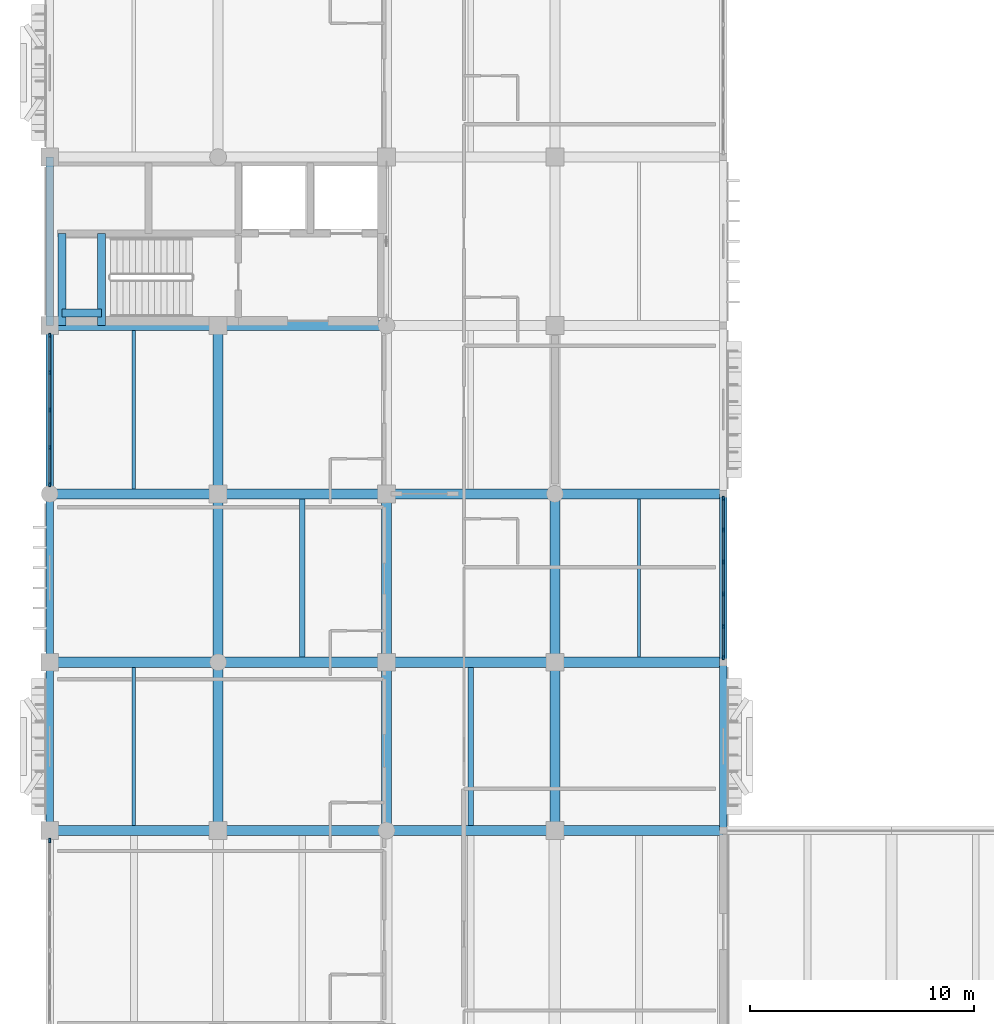
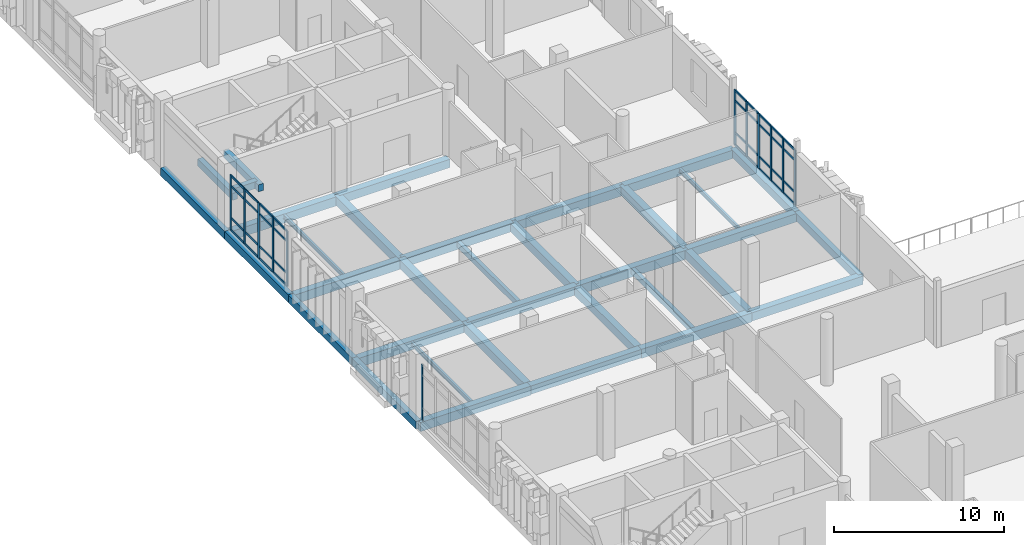
# One storey, part 21 of 131: 48 members, 35 beams, 3 elements without a shape of their own.
"""IFC4 building model written with IfcOpenShell, lengths in metres."""

import ifcopenshell
import ifcopenshell.guid

model = None  # the IFC model being written
_history = None  # IfcOwnerHistory: only IFC2X3 demands one
_inside = {}  # id of a spatial element -> (the spatial element, [elements in it])
_under = {}  # id of a project, library or spatial element -> (it, [spatial elements below it])
_declared = {}  # id of a project -> (the project, [libraries it declares])
_typed = {}  # id of a type object -> (the type object, [elements of that type])
_made_of = {}  # id of a material, layer set ... -> (it, [elements and type objects made of it])


def new_model(schema):
    """Start an empty IFC model of exactly this schema.

    Asked for "IFC4X3", IfcOpenShell would pick the latest addendum, in which some entities
    have other attributes; the version numbers below select the first issue.
    IFC2X3 requires an IfcOwnerHistory on every rooted entity: one is made here for all.
    """
    global model, _history
    if schema == "IFC4X3":
        model = ifcopenshell.file(schema_version=(4, 3, 0, 0))
    else:
        model = ifcopenshell.file(schema=schema)
    _inside.clear()
    _under.clear()
    _declared.clear()
    _typed.clear()
    _made_of.clear()
    _history = None
    if model.schema == "IFC2X3":
        org = make("IfcOrganization", Name="unknown")
        user = make(
            "IfcPersonAndOrganization",
            ThePerson=make("IfcPerson", FamilyName="unknown"),
            TheOrganization=org,
        )
        app = make(
            "IfcApplication",
            ApplicationDeveloper=org,
            Version="unknown",
            ApplicationFullName="unknown",
            ApplicationIdentifier="unknown",
        )
        _history = make(
            "IfcOwnerHistory",
            OwningUser=user,
            OwningApplication=app,
            ChangeAction="ADDED",
            CreationDate=0,
        )
    return model


def make(cls, **values):
    """One entity of the class cls with the attributes given. An attribute that is None is left unset."""
    return model.create_entity(
        cls, **{name: value for name, value in values.items() if value is not None}
    )


def rooted(cls, **values):
    """An entity with a GlobalId (a new one), such as an element, a storey or a relation."""
    return make(cls, GlobalId=ifcopenshell.guid.new(), OwnerHistory=_history, **values)


def si_unit(unit_type, name, prefix=None):
    """IfcSIUnit, for example si_unit("LENGTHUNIT", "METRE", prefix="MILLI")."""
    return make("IfcSIUnit", UnitType=unit_type, Prefix=prefix, Name=name)


def assignment(units):
    """IfcUnitAssignment: the units of a project."""
    return None if units is None else make("IfcUnitAssignment", Units=units)


def point(xyz):
    """IfcCartesianPoint."""
    return None if xyz is None else make("IfcCartesianPoint", Coordinates=xyz)


def direction(xyz):
    """IfcDirection."""
    return None if xyz is None else make("IfcDirection", DirectionRatios=xyz)


def frame(location, z_axis=None, x_axis=None):
    """IfcAxis2Placement3D, a coordinate frame: its origin and axes. An axis left out is left unset."""
    return make(
        "IfcAxis2Placement3D",
        Location=point(location),
        Axis=direction(z_axis),
        RefDirection=direction(x_axis),
    )


def frame_2d(location, x_axis=None):
    """IfcAxis2Placement2D, a coordinate frame in the plane: its origin and x axis."""
    return make(
        "IfcAxis2Placement2D", Location=point(location), RefDirection=direction(x_axis)
    )


def origin():
    """The frame at (0, 0, 0) with its axes left unset."""
    return frame((0.0, 0.0, 0.0))


def origin_2d():
    """The frame at (0, 0) in the plane with its x axis left unset."""
    return frame_2d((0.0, 0.0))


def place(relative_to, where):
    """IfcLocalPlacement: puts the frame where relative to a parent placement (None: the world)."""
    return make(
        "IfcLocalPlacement", PlacementRelTo=relative_to, RelativePlacement=where
    )


def context(
    kind, dimensions, precision=None, world=None, true_north=None, identifier=None
):
    """IfcGeometricRepresentationContext, for example the 3D "Model" context."""
    return make(
        "IfcGeometricRepresentationContext",
        ContextIdentifier=identifier,
        ContextType=kind,
        CoordinateSpaceDimension=dimensions,
        Precision=precision,
        WorldCoordinateSystem=world,
        TrueNorth=true_north,
    )


def subcontext(parent, identifier, kind, view, scale=None):
    """IfcGeometricRepresentationSubContext, for example "Body" below "Model"."""
    return make(
        "IfcGeometricRepresentationSubContext",
        ContextIdentifier=identifier,
        ContextType=kind,
        ParentContext=parent,
        TargetScale=scale,
        TargetView=view,
    )


def project(units=None, contexts=None):
    """IfcProject with its units and contexts."""
    return rooted(
        "IfcProject",
        Name="project",
        RepresentationContexts=contexts,
        UnitsInContext=assignment(units),
    )


def spatial(cls, under=None, at=None, **own):
    """A site, building, storey or space (cls), placed at a placement, below another one or the project."""
    s = rooted(cls, ObjectPlacement=at, **own)
    if under is not None:
        _under.setdefault(under.id(), (under, []))[1].append(s)
    return s


def profile(cls, at=None, kind="AREA", **sizes):
    """A parametric profile (cls). Its sizes go by their IFC names, for example OverallWidth=200.0."""
    return make(cls, ProfileType=kind, Position=at, **sizes)


def rectangle(**sizes):
    """IfcRectangleProfileDef."""
    return profile("IfcRectangleProfileDef", **sizes)


def i_section(**sizes):
    """IfcIShapeProfileDef."""
    return profile("IfcIShapeProfileDef", **sizes)


def extrude(swept, where, along, depth):
    """IfcExtrudedAreaSolid: the profile swept, set in the frame where, extruded along a direction by depth."""
    return make(
        "IfcExtrudedAreaSolid",
        SweptArea=swept,
        Position=where,
        ExtrudedDirection=direction(along),
        Depth=depth,
    )


def shape(context_of_items, identifier, shape_type, items):
    """IfcShapeRepresentation: the items that make up one representation, for example the "Body"."""
    return make(
        "IfcShapeRepresentation",
        ContextOfItems=context_of_items,
        RepresentationIdentifier=identifier,
        RepresentationType=shape_type,
        Items=items,
    )


def material(Name=None, Category=None):
    """IfcMaterial."""
    return make("IfcMaterial", Name=Name, Category=Category)


def layer(
    of_material, thickness, ventilated=None, Name=None, Category=None, Priority=None
):
    """IfcMaterialLayer: one layer of a wall or slab, of a material (None: an air gap)."""
    return make(
        "IfcMaterialLayer",
        Material=of_material,
        LayerThickness=thickness,
        IsVentilated=ventilated,
        Name=Name,
        Category=Category,
        Priority=Priority,
    )


def layer_set(layers, Name=None):
    """IfcMaterialLayerSet."""
    return make("IfcMaterialLayerSet", MaterialLayers=layers, LayerSetName=Name)


def material_profile(
    of_material, cross_section, Name=None, Category=None, Priority=None
):
    """IfcMaterialProfile: a cross section and its material."""
    return make(
        "IfcMaterialProfile",
        Name=Name,
        Material=of_material,
        Profile=cross_section,
        Priority=Priority,
        Category=Category,
    )


def profile_set(profiles, Name=None, composite=None):
    """IfcMaterialProfileSet."""
    return make(
        "IfcMaterialProfileSet",
        Name=Name,
        MaterialProfiles=profiles,
        CompositeProfile=composite,
    )


def made_of(thing, what):
    """Note that an element or type object is made of a material, layer set ...; save() writes the relation."""
    if what is not None:
        _made_of.setdefault(what.id(), (what, []))[1].append(thing)
    return thing


def type_object(cls, material=None, **own):
    """A type object (cls), such as IfcWallType, which elements share."""
    return made_of(rooted(cls, **own), material)


def element(
    cls,
    number,
    at=None,
    inside=None,
    cuts=None,
    type_object=None,
    material=None,
    context=None,
    identifier="Body",
    shape_type=None,
    held_by="IfcProductDefinitionShape",
    body=None,
    shapes=None,
    **own,
):
    """One element of the class cls, such as IfcWall. Its Tag is "e" and its number.

    at: its placement. inside: the storey or other place that contains it. cuts: it is an
    opening in that element (IfcRelVoidsElement). A single representation is given by context,
    identifier, shape_type and body (its items); several are given by shapes. held_by: the class
    of the entity that holds the representations. save() writes the other relations.
    """
    e = rooted(cls, Tag="e%d" % number, ObjectPlacement=at, **own)
    if body is not None:
        shapes = [shape(context, identifier, shape_type, body)]
    if shapes is not None:
        e.Representation = make(held_by, Representations=shapes)
    if inside is not None:
        _inside.setdefault(inside.id(), (inside, []))[1].append(e)
    if cuts is not None:
        rooted(
            "IfcRelVoidsElement", RelatingBuildingElement=cuts, RelatedOpeningElement=e
        )
    if type_object is not None:
        _typed.setdefault(type_object.id(), (type_object, []))[1].append(e)
    return made_of(e, material)


def aggregate(whole, parts):
    """IfcRelAggregates: a whole, such as a stair, and the parts it consists of."""
    return rooted("IfcRelAggregates", RelatingObject=whole, RelatedObjects=parts)


def save(model, path):
    """Write the relations noted so far, then the file.

    IfcRelAggregates (storeys below a building ...), IfcRelContainedInSpatialStructure (elements
    in a storey), IfcRelDefinesByType, IfcRelAssociatesMaterial and IfcRelDeclares: one each for
    every whole, place, type object, material and project.
    """
    for whole, parts in _under.values():
        aggregate(whole, parts)
    for where, things in _inside.values():
        rooted(
            "IfcRelContainedInSpatialStructure",
            RelatedElements=things,
            RelatingStructure=where,
        )
    for kind, things in _typed.values():
        rooted("IfcRelDefinesByType", RelatedObjects=things, RelatingType=kind)
    for what, things in _made_of.values():
        rooted("IfcRelAssociatesMaterial", RelatedObjects=things, RelatingMaterial=what)
    for by, libraries in _declared.values():
        rooted("IfcRelDeclares", RelatingContext=by, RelatedDefinitions=libraries)
    model.write(path)


model = new_model("IFC4")

# Units and contexts
model_context = context("Model", 3, precision=1e-05, world=origin(), true_north=direction((0.0, 1.0)))
body_context = subcontext(model_context, "Body", "Model", "MODEL_VIEW")
ifc_project = project(units=[si_unit("LENGTHUNIT", "METRE"), si_unit("AREAUNIT", "SQUARE_METRE"), si_unit("VOLUMEUNIT", "CUBIC_METRE"), si_unit("PLANEANGLEUNIT", "RADIAN"), si_unit("MASSUNIT", "GRAM", prefix="KILO")], contexts=[model_context])

# Site, building, storey
site_placement = place(None, origin())
site = spatial("IfcSite", under=ifc_project, at=site_placement, CompositionType="ELEMENT")
building_placement = place(site_placement, origin())
building = spatial("IfcBuilding", under=site, at=building_placement, Name="Dalvernix Boulevard General Hospital", CompositionType="ELEMENT")
storey_placement = place(building_placement, frame((0.0, 0.0, 9.300048828125)))
storey = spatial("IfcBuildingStorey", under=building, at=storey_placement, Name="L02", CompositionType="ELEMENT", Elevation=9.300048828125)

# Beams
ifc_material_1 = material(Name="Concrete C35/45", Category="concrete")
ifc_material_profile_1 = material_profile(ifc_material_1, rectangle(XDim=0.449951171875, YDim=0.64990234375, at=origin_2d()), Name="RCB 450x650")
ifc_profile_set_1 = profile_set([ifc_material_profile_1], Name="Concrete C35/45")
beam_type_1 = type_object("IfcBeamType", Name="BM-B-03-I", PredefinedType="BEAM", material=ifc_profile_set_1)
for number, where, z_axis, x_axis, name in (
    (1, (0.0, 31.5, -0.64501953125), (1.0, 0.0, 0.0), (0.0, 1.0, 0.0), "L02 E-W girder E:1-2"),
    (2, (15.0, 31.5, -0.64501953125), (1.0, 0.0, 0.0), (0.0, 1.0, 0.0), "L02 E-W girder E:3-4"),
    (3, (0.0, 39.0, -0.64501953125), (1.0, 0.0, 0.0), (0.0, 1.0, 0.0), "L02 E-W girder F:1-2"),
    (4, (15.0, 39.0, -0.64501953125), (1.0, 0.0, 0.0), (0.0, 1.0, 0.0), "L02 E-W girder F:3-4"),
    (5, (0.0, 46.5, -0.64501953125), (1.0, 0.0, 0.0), (0.0, 1.0, 0.0), "L02 E-W girder G:1-2"),
    (6, (15.0, 46.5, -0.64501953125), (1.0, 0.0, 0.0), (0.0, 1.0, 0.0), "L02 E-W girder G:3-4"),
    (7, (0.0, 54.0, -0.64501953125), (1.0, 0.0, 0.0), (0.0, 1.0, 0.0), "L02 E-W girder H:1-2"),
):
    element("IfcBeam", number, at=place(storey_placement, frame(where, z_axis=z_axis, x_axis=x_axis)), inside=storey, type_object=beam_type_1, Name=name, PredefinedType="BEAM", context=body_context, shape_type="SweptSolid", body=[
        extrude(rectangle(XDim=0.449951171875, YDim=0.64990234375, at=origin_2d()), origin(), (0.0, 0.0, 1.0), 7.5),
    ])
ifc_material_profile_2 = material_profile(ifc_material_1, rectangle(XDim=0.449951171875, YDim=0.60009765625, at=origin_2d()), Name="RCB 450x600")
ifc_profile_set_2 = profile_set([ifc_material_profile_2], Name="Concrete C35/45")
beam_type_2 = type_object("IfcBeamType", Name="BM-B-04-I", PredefinedType="BEAM", material=ifc_profile_set_2)
for number, where, z_axis, x_axis, name in (
    (8, (7.5, 31.5, -0.6201171875), (1.0, 0.0, 0.0), (0.0, 1.0, 0.0), "L02 E-W girder E:2-3"),
    (9, (22.5, 31.5, -0.6201171875), (1.0, 0.0, 0.0), (0.0, 1.0, 0.0), "L02 E-W girder E:4-5"),
    (10, (7.5, 39.0, -0.6201171875), (1.0, 0.0, 0.0), (0.0, 1.0, 0.0), "L02 E-W girder F:2-3"),
    (11, (22.5, 39.0, -0.6201171875), (1.0, 0.0, 0.0), (0.0, 1.0, 0.0), "L02 E-W girder F:4-5"),
    (12, (7.5, 46.5, -0.6201171875), (1.0, 0.0, 0.0), (0.0, 1.0, 0.0), "L02 E-W girder G:2-3"),
    (13, (22.5, 46.5, -0.6201171875), (1.0, 0.0, 0.0), (0.0, 1.0, 0.0), "L02 E-W girder G:4-5"),
    (14, (7.5, 54.0, -0.6201171875), (1.0, 0.0, 0.0), (0.0, 1.0, 0.0), "L02 E-W girder H:2-3"),
    (15, (7.5, 31.5, -0.6201171875), (0.0, 1.0, 0.0), (-1.0, 0.0, 0.0), "L02 N-S girder 2:E-F"),
    (16, (7.5, 39.0, -0.6201171875), (0.0, 1.0, 0.0), (-1.0, 0.0, 0.0), "L02 N-S girder 2:F-G"),
    (17, (7.5, 46.5, -0.6201171875), (0.0, 1.0, 0.0), (-1.0, 0.0, 0.0), "L02 N-S girder 2:G-H"),
    (18, (15.0, 31.5, -0.6201171875), (0.0, 1.0, 0.0), (-1.0, 0.0, 0.0), "L02 N-S girder 3:E-F"),
    (19, (15.0, 39.0, -0.6201171875), (0.0, 1.0, 0.0), (-1.0, 0.0, 0.0), "L02 N-S girder 3:F-G"),
    (20, (22.5, 31.5, -0.6201171875), (0.0, 1.0, 0.0), (-1.0, 0.0, 0.0), "L02 N-S girder 4:E-F"),
    (21, (22.5, 39.0, -0.6201171875), (0.0, 1.0, 0.0), (-1.0, 0.0, 0.0), "L02 N-S girder 4:F-G"),
):
    element("IfcBeam", number, at=place(storey_placement, frame(where, z_axis=z_axis, x_axis=x_axis)), inside=storey, type_object=beam_type_2, Name=name, PredefinedType="BEAM", context=body_context, shape_type="SweptSolid", body=[
        extrude(rectangle(XDim=0.449951171875, YDim=0.60009765625, at=origin_2d()), origin(), (0.0, 0.0, 1.0), 7.5),
    ])
ifc_material_profile_3 = material_profile(ifc_material_1, rectangle(XDim=0.35009765625, YDim=0.5, at=origin_2d()), Name="RCB 350x500")
ifc_profile_set_3 = profile_set([ifc_material_profile_3], Name="Concrete C35/45")
beam_type_3 = type_object("IfcBeamType", Name="BM-B-08", PredefinedType="BEAM", material=ifc_profile_set_3)
for number, where, z_axis, x_axis, name in (
    (22, (0.550048828125, 54.0, 1.949951171875), (0.0, 1.0, 0.0), (-1.0, 0.0, 0.0), "L02 C2 stair half-landing beam 1"),
    (23, (2.300048828125, 54.0, 1.949951171875), (0.0, 1.0, 0.0), (-1.0, 0.0, 0.0), "L02 C2 stair half-landing beam 2"),
):
    element("IfcBeam", number, at=place(storey_placement, frame(where, z_axis=z_axis, x_axis=x_axis)), inside=storey, type_object=beam_type_3, Name=name, PredefinedType="BEAM", context=body_context, shape_type="SweptSolid", body=[
        extrude(rectangle(XDim=0.35009765625, YDim=0.5, at=origin_2d()), origin(), (0.0, 0.0, 1.0), 4.10009765625),
    ])
beam_placement = place(storey_placement, frame((0.550048828125, 54.550048828125, 1.949951171875), z_axis=(1.0, 0.0, 0.0), x_axis=(0.0, 1.0, 0.0)))
element("IfcBeam", 24, at=beam_placement, inside=storey, type_object=beam_type_3, Name="L02 C2 stair half-landing tie beam", PredefinedType="BEAM", context=body_context, shape_type="SweptSolid", body=[
    extrude(rectangle(XDim=0.35009765625, YDim=0.5, at=origin_2d()), origin(), (0.0, 0.0, 1.0), 1.75),
])
ifc_material_profile_4 = material_profile(ifc_material_1, rectangle(XDim=0.25, YDim=0.39990234375, at=origin_2d()), Name="RCB 250x400")
ifc_profile_set_4 = profile_set([ifc_material_profile_4], Name="Concrete C35/45")
beam_type_4 = type_object("IfcBeamType", Name="BM-JB-02", PredefinedType="JOIST", material=ifc_profile_set_4)
for number, where, z_axis, x_axis, name in (
    (25, (11.25, 39.22509765625, -0.52001953125), (0.0, 1.0, 0.0), (-1.0, 0.0, 0.0), "L02 secondary floor beam 2-F"),
    (26, (18.75, 31.72509765625, -0.52001953125), (0.0, 1.0, 0.0), (-1.0, 0.0, 0.0), "L02 secondary floor beam 3-E"),
):
    element("IfcBeam", number, at=place(storey_placement, frame(where, z_axis=z_axis, x_axis=x_axis)), inside=storey, type_object=beam_type_4, Name=name, PredefinedType="JOIST", context=body_context, shape_type="SweptSolid", body=[
        extrude(rectangle(XDim=0.25, YDim=0.39990234375, at=origin_2d()), origin(), (0.0, 0.0, 1.0), 7.0498046875),
    ])
ifc_material_2 = material(Name="Steel S355", Category="steel")
ifc_material_profile_5 = material_profile(ifc_material_2, i_section(OverallWidth=0.14990234375, OverallDepth=0.300048828125, WebThickness=0.007080078125, FlangeThickness=0.0107421875, FilletRadius=0.014892578125, at=origin_2d()), Name="IPE 300")
ifc_profile_set_5 = profile_set([ifc_material_profile_5], Name="Steel S355")
beam_type_5 = type_object("IfcBeamType", Name="BM-JB-03", PredefinedType="JOIST", material=ifc_profile_set_5)
for number, where, z_axis, x_axis, name in (
    (27, (3.75, 31.72509765625, -0.469970703125), (0.0, 1.0, 0.0), (-1.0, 0.0, 0.0), "L02 secondary floor beam 1-E"),
    (28, (3.75, 46.72509765625, -0.469970703125), (0.0, 1.0, 0.0), (-1.0, 0.0, 0.0), "L02 secondary floor beam 1-G"),
    (29, (26.25, 39.22509765625, -0.469970703125), (0.0, 1.0, 0.0), (-1.0, 0.0, 0.0), "L02 secondary floor beam 4-F"),
):
    element("IfcBeam", number, at=place(storey_placement, frame(where, z_axis=z_axis, x_axis=x_axis)), inside=storey, type_object=beam_type_5, Name=name, PredefinedType="JOIST", context=body_context, shape_type="SweptSolid", body=[
        extrude(i_section(OverallWidth=0.14990234375, OverallDepth=0.300048828125, WebThickness=0.007080078125, FlangeThickness=0.0107421875, FilletRadius=0.014892578125, at=origin_2d()), origin(), (0.0, 0.0, 1.0), 7.0498046875),
    ])
ifc_material_profile_6 = material_profile(ifc_material_1, rectangle(XDim=0.35009765625, YDim=0.550048828125, at=origin_2d()), Name="RCB 350x550")
ifc_profile_set_6 = profile_set([ifc_material_profile_6], Name="Concrete C35/45")
beam_type_6 = type_object("IfcBeamType", Name="BM-SB-01-E", PredefinedType="SPANDREL", material=ifc_profile_set_6)
for number, where, z_axis, x_axis, name in (
    (30, (0.0, 31.5, -0.594970703125), (0.0, 1.0, 0.0), (-1.0, 0.0, 0.0), "L02 N-S girder 1:E-F"),
    (31, (0.0, 39.0, -0.594970703125), (0.0, 1.0, 0.0), (-1.0, 0.0, 0.0), "L02 N-S girder 1:F-G"),
    (32, (0.0, 46.5, -0.594970703125), (0.0, 1.0, 0.0), (-1.0, 0.0, 0.0), "L02 N-S girder 1:G-H"),
    (33, (0.0, 54.0, -0.594970703125), (0.0, 1.0, 0.0), (-1.0, 0.0, 0.0), "L02 N-S girder 1:H-J"),
    (34, (30.0, 31.5, -0.594970703125), (0.0, 1.0, 0.0), (-1.0, 0.0, 0.0), "L02 N-S girder 5:E-F"),
    (35, (30.0, 39.0, -0.594970703125), (0.0, 1.0, 0.0), (-1.0, 0.0, 0.0), "L02 N-S girder 5:F-G"),
):
    element("IfcBeam", number, at=place(storey_placement, frame(where, z_axis=z_axis, x_axis=x_axis)), inside=storey, type_object=beam_type_6, Name=name, PredefinedType="SPANDREL", context=body_context, shape_type="SweptSolid", body=[
        extrude(rectangle(XDim=0.35009765625, YDim=0.550048828125, at=origin_2d()), origin(), (0.0, 0.0, 1.0), 7.5),
    ])

# Curtain wall, member
ifc_material_3 = material(Name="Thermally broken aluminium and solar-control glass curtain wall", Category="aluminium")
ifc_layer_1 = layer(ifc_material_3, 0.199951171875)
ifc_layer_set_1 = layer_set([ifc_layer_1], Name="Thermally broken aluminium and solar-control glass curtain wall (CW-CW-C-82x40)")
curtain_wall_type_1 = type_object("IfcCurtainWallType", Name="CW-CW-C-82x40", PredefinedType="USERDEFINED", material=ifc_layer_set_1)
curtain_wall_1_placement = place(storey_placement, origin())
curtain_wall_1 = element("IfcCurtainWall", 36, at=curtain_wall_1_placement, inside=storey, type_object=curtain_wall_type_1, Name="L02 curtain wall CW-C-82x40 0-3", ObjectType="GLAZED FACADE", PredefinedType="USERDEFINED")
ifc_material_4 = material(Name="Aluminium EN AW-6060", Category="aluminium")
ifc_material_profile_7 = material_profile(ifc_material_4, rectangle(XDim=0.070068359375, YDim=0.199951171875, at=origin_2d()), Name="ALU MULL 70x200")
ifc_profile_set_7 = profile_set([ifc_material_profile_7], Name="Aluminium EN AW-6060")
member_type_1 = type_object("IfcMemberType", Name="MEM-CW-M3", PredefinedType="MULLION", material=ifc_profile_set_7)
member_1_placement = place(storey_placement, frame((0.0, 31.054931640625, 0.0), z_axis=(0.0, 0.0, 1.0), x_axis=(-1.0, 0.0, 0.0)))
member_1 = element("IfcMember", 37, at=member_1_placement, type_object=member_type_1, Name="CW-C-82x40 mullion 6", PredefinedType="MULLION", context=body_context, shape_type="SweptSolid", body=[
    extrude(rectangle(XDim=0.070068359375, YDim=0.199951171875, at=origin_2d()), origin(), (0.0, 0.0, 1.0), 4.0),
])
aggregate(curtain_wall_1, [member_1])

# Curtain wall, members
ifc_layer_2 = layer(ifc_material_3, 0.199951171875)
ifc_layer_set_2 = layer_set([ifc_layer_2], Name="Thermally broken aluminium and solar-control glass curtain wall (CW-CW-C-67x40)")
curtain_wall_type_2 = type_object("IfcCurtainWallType", Name="CW-CW-C-67x40", PredefinedType="USERDEFINED", material=ifc_layer_set_2)
curtain_wall_2_placement = place(storey_placement, origin())
curtain_wall_2 = element("IfcCurtainWall", 38, at=curtain_wall_2_placement, inside=storey, type_object=curtain_wall_type_2, Name="L02 curtain wall CW-C-67x40 0-6", ObjectType="GLAZED FACADE", PredefinedType="USERDEFINED")
member_2_placement = place(storey_placement, frame((0.0, 46.919921875, 0.0), z_axis=(0.0, 0.0, 1.0), x_axis=(-1.0, 0.0, 0.0)))
member_2 = element("IfcMember", 39, at=member_2_placement, type_object=member_type_1, Name="CW-C-67x40 mullion 1", PredefinedType="MULLION", context=body_context, shape_type="SweptSolid", body=[
    extrude(rectangle(XDim=0.070068359375, YDim=0.199951171875, at=origin_2d()), origin(), (0.0, 0.0, 1.0), 3.949951171875),
])
member_3_placement = place(storey_placement, frame((0.0, 48.561279296875, 0.0), z_axis=(0.0, 0.0, 1.0), x_axis=(-1.0, 0.0, 0.0)))
member_3 = element("IfcMember", 40, at=member_3_placement, type_object=member_type_1, Name="CW-C-67x40 mullion 2", PredefinedType="MULLION", context=body_context, shape_type="SweptSolid", body=[
    extrude(rectangle(XDim=0.070068359375, YDim=0.199951171875, at=origin_2d()), origin(), (0.0, 0.0, 1.0), 3.949951171875),
])
member_4_placement = place(storey_placement, frame((0.0, 50.237548828125, 0.0), z_axis=(0.0, 0.0, 1.0), x_axis=(-1.0, 0.0, 0.0)))
member_4 = element("IfcMember", 41, at=member_4_placement, type_object=member_type_1, Name="CW-C-67x40 mullion 3", PredefinedType="MULLION", context=body_context, shape_type="SweptSolid", body=[
    extrude(rectangle(XDim=0.070068359375, YDim=0.199951171875, at=origin_2d()), origin(), (0.0, 0.0, 1.0), 3.949951171875),
])
member_5_placement = place(storey_placement, frame((0.0, 51.913818359375, 0.0), z_axis=(0.0, 0.0, 1.0), x_axis=(-1.0, 0.0, 0.0)))
member_5 = element("IfcMember", 42, at=member_5_placement, type_object=member_type_1, Name="CW-C-67x40 mullion 4", PredefinedType="MULLION", context=body_context, shape_type="SweptSolid", body=[
    extrude(rectangle(XDim=0.070068359375, YDim=0.199951171875, at=origin_2d()), origin(), (0.0, 0.0, 1.0), 3.949951171875),
])
member_6_placement = place(storey_placement, frame((0.0, 53.554931640625, 0.0), z_axis=(0.0, 0.0, 1.0), x_axis=(-1.0, 0.0, 0.0)))
member_6 = element("IfcMember", 43, at=member_6_placement, type_object=member_type_1, Name="CW-C-67x40 mullion 5", PredefinedType="MULLION", context=body_context, shape_type="SweptSolid", body=[
    extrude(rectangle(XDim=0.070068359375, YDim=0.199951171875, at=origin_2d()), origin(), (0.0, 0.0, 1.0), 3.949951171875),
])

ifc_layer_3 = layer(ifc_material_3, 0.199951171875)
ifc_layer_set_3 = layer_set([ifc_layer_3], Name="Thermally broken aluminium and solar-control glass curtain wall (CW-CW-C-72x40)")
curtain_wall_type_3 = type_object("IfcCurtainWallType", Name="CW-CW-C-72x40", PredefinedType="USERDEFINED", material=ifc_layer_set_3)
curtain_wall_3_placement = place(storey_placement, origin())
curtain_wall_3 = element("IfcCurtainWall", 44, at=curtain_wall_3_placement, inside=storey, type_object=curtain_wall_type_3, Name="L02 curtain wall CW-C-72x40 4-5", ObjectType="GLAZED FACADE", PredefinedType="USERDEFINED")
member_7_placement = place(storey_placement, frame((30.0, 46.294921875, 0.0), z_axis=(0.0, 0.0, 1.0), x_axis=(1.0, 0.0, 0.0)))
member_7 = element("IfcMember", 45, at=member_7_placement, type_object=member_type_1, Name="CW-C-72x40 mullion 1", PredefinedType="MULLION", context=body_context, shape_type="SweptSolid", body=[
    extrude(rectangle(XDim=0.070068359375, YDim=0.199951171875, at=origin_2d()), origin(), (0.0, 0.0, 1.0), 3.949951171875),
])
member_8_placement = place(storey_placement, frame((30.0, 44.89794921875, 0.0), z_axis=(0.0, 0.0, 1.0), x_axis=(1.0, 0.0, 0.0)))
member_8 = element("IfcMember", 46, at=member_8_placement, type_object=member_type_1, Name="CW-C-72x40 mullion 2", PredefinedType="MULLION", context=body_context, shape_type="SweptSolid", body=[
    extrude(rectangle(XDim=0.070068359375, YDim=0.199951171875, at=origin_2d()), origin(), (0.0, 0.0, 1.0), 3.949951171875),
])
member_9_placement = place(storey_placement, frame((30.0, 43.466064453125, 0.0), z_axis=(0.0, 0.0, 1.0), x_axis=(1.0, 0.0, 0.0)))
member_9 = element("IfcMember", 47, at=member_9_placement, type_object=member_type_1, Name="CW-C-72x40 mullion 3", PredefinedType="MULLION", context=body_context, shape_type="SweptSolid", body=[
    extrude(rectangle(XDim=0.070068359375, YDim=0.199951171875, at=origin_2d()), origin(), (0.0, 0.0, 1.0), 3.949951171875),
])
member_10_placement = place(storey_placement, frame((30.0, 42.033935546875, 0.0), z_axis=(0.0, 0.0, 1.0), x_axis=(1.0, 0.0, 0.0)))
member_10 = element("IfcMember", 48, at=member_10_placement, type_object=member_type_1, Name="CW-C-72x40 mullion 4", PredefinedType="MULLION", context=body_context, shape_type="SweptSolid", body=[
    extrude(rectangle(XDim=0.070068359375, YDim=0.199951171875, at=origin_2d()), origin(), (0.0, 0.0, 1.0), 3.949951171875),
])
member_11_placement = place(storey_placement, frame((30.0, 40.60205078125, 0.0), z_axis=(0.0, 0.0, 1.0), x_axis=(1.0, 0.0, 0.0)))
member_11 = element("IfcMember", 49, at=member_11_placement, type_object=member_type_1, Name="CW-C-72x40 mullion 5", PredefinedType="MULLION", context=body_context, shape_type="SweptSolid", body=[
    extrude(rectangle(XDim=0.070068359375, YDim=0.199951171875, at=origin_2d()), origin(), (0.0, 0.0, 1.0), 3.949951171875),
])
member_12_placement = place(storey_placement, frame((30.0, 39.205078125, 0.0), z_axis=(0.0, 0.0, 1.0), x_axis=(1.0, 0.0, 0.0)))
member_12 = element("IfcMember", 50, at=member_12_placement, type_object=member_type_1, Name="CW-C-72x40 mullion 6", PredefinedType="MULLION", context=body_context, shape_type="SweptSolid", body=[
    extrude(rectangle(XDim=0.070068359375, YDim=0.199951171875, at=origin_2d()), origin(), (0.0, 0.0, 1.0), 3.949951171875),
])

# Member
ifc_material_profile_8 = material_profile(ifc_material_4, rectangle(XDim=0.070068359375, YDim=0.14990234375, at=origin_2d()), Name="ALU TRAN 70x150")
ifc_profile_set_8 = profile_set([ifc_material_profile_8], Name="Aluminium EN AW-6060")
member_type_2 = type_object("IfcMemberType", Name="MEM-CW-T3", PredefinedType="USERDEFINED", material=ifc_profile_set_8)
member_13_placement = place(storey_placement, frame((0.0, 46.955078125, 0.034912109375), z_axis=(0.0, 1.0, 0.0), x_axis=(-1.0, 0.0, 0.0)))
member_13 = element("IfcMember", 51, at=member_13_placement, type_object=member_type_2, Name="CW-C-67x40 transom 1.1", ObjectType="TRANSOM", PredefinedType="USERDEFINED", context=body_context, shape_type="SweptSolid", body=[
    extrude(rectangle(XDim=0.070068359375, YDim=0.14990234375, at=origin_2d()), origin(), (0.0, 0.0, 1.0), 1.5712890625),
])

member_14_placement = place(storey_placement, frame((0.0, 46.955078125, 0.89990234375), z_axis=(0.0, 1.0, 0.0), x_axis=(-1.0, 0.0, 0.0)))
member_14 = element("IfcMember", 52, at=member_14_placement, type_object=member_type_2, Name="CW-C-67x40 transom 1.2", ObjectType="TRANSOM", PredefinedType="USERDEFINED", context=body_context, shape_type="SweptSolid", body=[
    extrude(rectangle(XDim=0.070068359375, YDim=0.14990234375, at=origin_2d()), origin(), (0.0, 0.0, 1.0), 1.5712890625),
])

member_15_placement = place(storey_placement, frame((0.0, 46.955078125, 3.199951171875), z_axis=(0.0, 1.0, 0.0), x_axis=(-1.0, 0.0, 0.0)))
member_15 = element("IfcMember", 53, at=member_15_placement, type_object=member_type_2, Name="CW-C-67x40 transom 1.3", ObjectType="TRANSOM", PredefinedType="USERDEFINED", context=body_context, shape_type="SweptSolid", body=[
    extrude(rectangle(XDim=0.070068359375, YDim=0.14990234375, at=origin_2d()), origin(), (0.0, 0.0, 1.0), 1.5712890625),
])

member_16_placement = place(storey_placement, frame((0.0, 46.955078125, 3.9150390625), z_axis=(0.0, 1.0, 0.0), x_axis=(-1.0, 0.0, 0.0)))
member_16 = element("IfcMember", 54, at=member_16_placement, type_object=member_type_2, Name="CW-C-67x40 transom 1.4", ObjectType="TRANSOM", PredefinedType="USERDEFINED", context=body_context, shape_type="SweptSolid", body=[
    extrude(rectangle(XDim=0.070068359375, YDim=0.14990234375, at=origin_2d()), origin(), (0.0, 0.0, 1.0), 1.5712890625),
])

member_17_placement = place(storey_placement, frame((0.0, 48.59619140625, 0.034912109375), z_axis=(0.0, 1.0, 0.0), x_axis=(-1.0, 0.0, 0.0)))
member_17 = element("IfcMember", 55, at=member_17_placement, type_object=member_type_2, Name="CW-C-67x40 transom 2.1", ObjectType="TRANSOM", PredefinedType="USERDEFINED", context=body_context, shape_type="SweptSolid", body=[
    extrude(rectangle(XDim=0.070068359375, YDim=0.14990234375, at=origin_2d()), origin(), (0.0, 0.0, 1.0), 1.606201171875),
])

member_18_placement = place(storey_placement, frame((0.0, 48.59619140625, 0.89990234375), z_axis=(0.0, 1.0, 0.0), x_axis=(-1.0, 0.0, 0.0)))
member_18 = element("IfcMember", 56, at=member_18_placement, type_object=member_type_2, Name="CW-C-67x40 transom 2.2", ObjectType="TRANSOM", PredefinedType="USERDEFINED", context=body_context, shape_type="SweptSolid", body=[
    extrude(rectangle(XDim=0.070068359375, YDim=0.14990234375, at=origin_2d()), origin(), (0.0, 0.0, 1.0), 1.606201171875),
])

member_19_placement = place(storey_placement, frame((0.0, 48.59619140625, 3.199951171875), z_axis=(0.0, 1.0, 0.0), x_axis=(-1.0, 0.0, 0.0)))
member_19 = element("IfcMember", 57, at=member_19_placement, type_object=member_type_2, Name="CW-C-67x40 transom 2.3", ObjectType="TRANSOM", PredefinedType="USERDEFINED", context=body_context, shape_type="SweptSolid", body=[
    extrude(rectangle(XDim=0.070068359375, YDim=0.14990234375, at=origin_2d()), origin(), (0.0, 0.0, 1.0), 1.606201171875),
])

member_20_placement = place(storey_placement, frame((0.0, 48.59619140625, 3.9150390625), z_axis=(0.0, 1.0, 0.0), x_axis=(-1.0, 0.0, 0.0)))
member_20 = element("IfcMember", 58, at=member_20_placement, type_object=member_type_2, Name="CW-C-67x40 transom 2.4", ObjectType="TRANSOM", PredefinedType="USERDEFINED", context=body_context, shape_type="SweptSolid", body=[
    extrude(rectangle(XDim=0.070068359375, YDim=0.14990234375, at=origin_2d()), origin(), (0.0, 0.0, 1.0), 1.606201171875),
])

member_21_placement = place(storey_placement, frame((0.0, 50.2724609375, 0.034912109375), z_axis=(0.0, 1.0, 0.0), x_axis=(-1.0, 0.0, 0.0)))
member_21 = element("IfcMember", 59, at=member_21_placement, type_object=member_type_2, Name="CW-C-67x40 transom 3.1", ObjectType="TRANSOM", PredefinedType="USERDEFINED", context=body_context, shape_type="SweptSolid", body=[
    extrude(rectangle(XDim=0.070068359375, YDim=0.14990234375, at=origin_2d()), origin(), (0.0, 0.0, 1.0), 1.606201171875),
])

member_22_placement = place(storey_placement, frame((0.0, 50.2724609375, 0.89990234375), z_axis=(0.0, 1.0, 0.0), x_axis=(-1.0, 0.0, 0.0)))
member_22 = element("IfcMember", 60, at=member_22_placement, type_object=member_type_2, Name="CW-C-67x40 transom 3.2", ObjectType="TRANSOM", PredefinedType="USERDEFINED", context=body_context, shape_type="SweptSolid", body=[
    extrude(rectangle(XDim=0.070068359375, YDim=0.14990234375, at=origin_2d()), origin(), (0.0, 0.0, 1.0), 1.606201171875),
])

member_23_placement = place(storey_placement, frame((0.0, 50.2724609375, 3.199951171875), z_axis=(0.0, 1.0, 0.0), x_axis=(-1.0, 0.0, 0.0)))
member_23 = element("IfcMember", 61, at=member_23_placement, type_object=member_type_2, Name="CW-C-67x40 transom 3.3", ObjectType="TRANSOM", PredefinedType="USERDEFINED", context=body_context, shape_type="SweptSolid", body=[
    extrude(rectangle(XDim=0.070068359375, YDim=0.14990234375, at=origin_2d()), origin(), (0.0, 0.0, 1.0), 1.606201171875),
])

member_24_placement = place(storey_placement, frame((0.0, 50.2724609375, 3.9150390625), z_axis=(0.0, 1.0, 0.0), x_axis=(-1.0, 0.0, 0.0)))
member_24 = element("IfcMember", 62, at=member_24_placement, type_object=member_type_2, Name="CW-C-67x40 transom 3.4", ObjectType="TRANSOM", PredefinedType="USERDEFINED", context=body_context, shape_type="SweptSolid", body=[
    extrude(rectangle(XDim=0.070068359375, YDim=0.14990234375, at=origin_2d()), origin(), (0.0, 0.0, 1.0), 1.606201171875),
])

member_25_placement = place(storey_placement, frame((0.0, 51.94873046875, 0.034912109375), z_axis=(0.0, 1.0, 0.0), x_axis=(-1.0, 0.0, 0.0)))
member_25 = element("IfcMember", 63, at=member_25_placement, type_object=member_type_2, Name="CW-C-67x40 transom 4.1", ObjectType="TRANSOM", PredefinedType="USERDEFINED", context=body_context, shape_type="SweptSolid", body=[
    extrude(rectangle(XDim=0.070068359375, YDim=0.14990234375, at=origin_2d()), origin(), (0.0, 0.0, 1.0), 1.5712890625),
])

member_26_placement = place(storey_placement, frame((0.0, 51.94873046875, 0.89990234375), z_axis=(0.0, 1.0, 0.0), x_axis=(-1.0, 0.0, 0.0)))
member_26 = element("IfcMember", 64, at=member_26_placement, type_object=member_type_2, Name="CW-C-67x40 transom 4.2", ObjectType="TRANSOM", PredefinedType="USERDEFINED", context=body_context, shape_type="SweptSolid", body=[
    extrude(rectangle(XDim=0.070068359375, YDim=0.14990234375, at=origin_2d()), origin(), (0.0, 0.0, 1.0), 1.5712890625),
])

member_27_placement = place(storey_placement, frame((0.0, 51.94873046875, 3.199951171875), z_axis=(0.0, 1.0, 0.0), x_axis=(-1.0, 0.0, 0.0)))
member_27 = element("IfcMember", 65, at=member_27_placement, type_object=member_type_2, Name="CW-C-67x40 transom 4.3", ObjectType="TRANSOM", PredefinedType="USERDEFINED", context=body_context, shape_type="SweptSolid", body=[
    extrude(rectangle(XDim=0.070068359375, YDim=0.14990234375, at=origin_2d()), origin(), (0.0, 0.0, 1.0), 1.5712890625),
])

member_28_placement = place(storey_placement, frame((0.0, 51.94873046875, 3.9150390625), z_axis=(0.0, 1.0, 0.0), x_axis=(-1.0, 0.0, 0.0)))
member_28 = element("IfcMember", 66, at=member_28_placement, type_object=member_type_2, Name="CW-C-67x40 transom 4.4", ObjectType="TRANSOM", PredefinedType="USERDEFINED", context=body_context, shape_type="SweptSolid", body=[
    extrude(rectangle(XDim=0.070068359375, YDim=0.14990234375, at=origin_2d()), origin(), (0.0, 0.0, 1.0), 1.5712890625),
])

aggregate(curtain_wall_2, [member_2, member_3, member_4, member_5, member_6, member_13, member_14, member_15, member_16, member_17, member_18, member_19, member_20, member_21, member_22, member_23, member_24, member_25, member_26, member_27, member_28])

member_29_placement = place(storey_placement, frame((30.0, 46.260009765625, 0.034912109375), z_axis=(0.0, -1.0, 0.0), x_axis=(1.0, 0.0, 0.0)))
member_29 = element("IfcMember", 67, at=member_29_placement, type_object=member_type_2, Name="CW-C-72x40 transom 1.1", ObjectType="TRANSOM", PredefinedType="USERDEFINED", context=body_context, shape_type="SweptSolid", body=[
    extrude(rectangle(XDim=0.070068359375, YDim=0.14990234375, at=origin_2d()), origin(), (0.0, 0.0, 1.0), 1.326904296875),
])

member_30_placement = place(storey_placement, frame((30.0, 46.260009765625, 0.89990234375), z_axis=(0.0, -1.0, 0.0), x_axis=(1.0, 0.0, 0.0)))
member_30 = element("IfcMember", 68, at=member_30_placement, type_object=member_type_2, Name="CW-C-72x40 transom 1.2", ObjectType="TRANSOM", PredefinedType="USERDEFINED", context=body_context, shape_type="SweptSolid", body=[
    extrude(rectangle(XDim=0.070068359375, YDim=0.14990234375, at=origin_2d()), origin(), (0.0, 0.0, 1.0), 1.326904296875),
])

member_31_placement = place(storey_placement, frame((30.0, 46.260009765625, 3.199951171875), z_axis=(0.0, -1.0, 0.0), x_axis=(1.0, 0.0, 0.0)))
member_31 = element("IfcMember", 69, at=member_31_placement, type_object=member_type_2, Name="CW-C-72x40 transom 1.3", ObjectType="TRANSOM", PredefinedType="USERDEFINED", context=body_context, shape_type="SweptSolid", body=[
    extrude(rectangle(XDim=0.070068359375, YDim=0.14990234375, at=origin_2d()), origin(), (0.0, 0.0, 1.0), 1.326904296875),
])

member_32_placement = place(storey_placement, frame((30.0, 46.260009765625, 3.9150390625), z_axis=(0.0, -1.0, 0.0), x_axis=(1.0, 0.0, 0.0)))
member_32 = element("IfcMember", 70, at=member_32_placement, type_object=member_type_2, Name="CW-C-72x40 transom 1.4", ObjectType="TRANSOM", PredefinedType="USERDEFINED", context=body_context, shape_type="SweptSolid", body=[
    extrude(rectangle(XDim=0.070068359375, YDim=0.14990234375, at=origin_2d()), origin(), (0.0, 0.0, 1.0), 1.326904296875),
])

member_33_placement = place(storey_placement, frame((30.0, 44.863037109375, 0.034912109375), z_axis=(0.0, -1.0, 0.0), x_axis=(1.0, 0.0, 0.0)))
member_33 = element("IfcMember", 71, at=member_33_placement, type_object=member_type_2, Name="CW-C-72x40 transom 2.1", ObjectType="TRANSOM", PredefinedType="USERDEFINED", context=body_context, shape_type="SweptSolid", body=[
    extrude(rectangle(XDim=0.070068359375, YDim=0.14990234375, at=origin_2d()), origin(), (0.0, 0.0, 1.0), 1.362060546875),
])

member_34_placement = place(storey_placement, frame((30.0, 44.863037109375, 0.89990234375), z_axis=(0.0, -1.0, 0.0), x_axis=(1.0, 0.0, 0.0)))
member_34 = element("IfcMember", 72, at=member_34_placement, type_object=member_type_2, Name="CW-C-72x40 transom 2.2", ObjectType="TRANSOM", PredefinedType="USERDEFINED", context=body_context, shape_type="SweptSolid", body=[
    extrude(rectangle(XDim=0.070068359375, YDim=0.14990234375, at=origin_2d()), origin(), (0.0, 0.0, 1.0), 1.362060546875),
])

member_35_placement = place(storey_placement, frame((30.0, 44.863037109375, 3.199951171875), z_axis=(0.0, -1.0, 0.0), x_axis=(1.0, 0.0, 0.0)))
member_35 = element("IfcMember", 73, at=member_35_placement, type_object=member_type_2, Name="CW-C-72x40 transom 2.3", ObjectType="TRANSOM", PredefinedType="USERDEFINED", context=body_context, shape_type="SweptSolid", body=[
    extrude(rectangle(XDim=0.070068359375, YDim=0.14990234375, at=origin_2d()), origin(), (0.0, 0.0, 1.0), 1.362060546875),
])

member_36_placement = place(storey_placement, frame((30.0, 44.863037109375, 3.9150390625), z_axis=(0.0, -1.0, 0.0), x_axis=(1.0, 0.0, 0.0)))
member_36 = element("IfcMember", 74, at=member_36_placement, type_object=member_type_2, Name="CW-C-72x40 transom 2.4", ObjectType="TRANSOM", PredefinedType="USERDEFINED", context=body_context, shape_type="SweptSolid", body=[
    extrude(rectangle(XDim=0.070068359375, YDim=0.14990234375, at=origin_2d()), origin(), (0.0, 0.0, 1.0), 1.362060546875),
])

member_37_placement = place(storey_placement, frame((30.0, 43.430908203125, 0.034912109375), z_axis=(0.0, -1.0, 0.0), x_axis=(1.0, 0.0, 0.0)))
member_37 = element("IfcMember", 75, at=member_37_placement, type_object=member_type_2, Name="CW-C-72x40 transom 3.1", ObjectType="TRANSOM", PredefinedType="USERDEFINED", context=body_context, shape_type="SweptSolid", body=[
    extrude(rectangle(XDim=0.070068359375, YDim=0.14990234375, at=origin_2d()), origin(), (0.0, 0.0, 1.0), 1.36181640625),
])

member_38_placement = place(storey_placement, frame((30.0, 43.430908203125, 0.89990234375), z_axis=(0.0, -1.0, 0.0), x_axis=(1.0, 0.0, 0.0)))
member_38 = element("IfcMember", 76, at=member_38_placement, type_object=member_type_2, Name="CW-C-72x40 transom 3.2", ObjectType="TRANSOM", PredefinedType="USERDEFINED", context=body_context, shape_type="SweptSolid", body=[
    extrude(rectangle(XDim=0.070068359375, YDim=0.14990234375, at=origin_2d()), origin(), (0.0, 0.0, 1.0), 1.36181640625),
])

member_39_placement = place(storey_placement, frame((30.0, 43.430908203125, 3.199951171875), z_axis=(0.0, -1.0, 0.0), x_axis=(1.0, 0.0, 0.0)))
member_39 = element("IfcMember", 77, at=member_39_placement, type_object=member_type_2, Name="CW-C-72x40 transom 3.3", ObjectType="TRANSOM", PredefinedType="USERDEFINED", context=body_context, shape_type="SweptSolid", body=[
    extrude(rectangle(XDim=0.070068359375, YDim=0.14990234375, at=origin_2d()), origin(), (0.0, 0.0, 1.0), 1.36181640625),
])

member_40_placement = place(storey_placement, frame((30.0, 43.430908203125, 3.9150390625), z_axis=(0.0, -1.0, 0.0), x_axis=(1.0, 0.0, 0.0)))
member_40 = element("IfcMember", 78, at=member_40_placement, type_object=member_type_2, Name="CW-C-72x40 transom 3.4", ObjectType="TRANSOM", PredefinedType="USERDEFINED", context=body_context, shape_type="SweptSolid", body=[
    extrude(rectangle(XDim=0.070068359375, YDim=0.14990234375, at=origin_2d()), origin(), (0.0, 0.0, 1.0), 1.36181640625),
])

member_41_placement = place(storey_placement, frame((30.0, 41.9990234375, 0.034912109375), z_axis=(0.0, -1.0, 0.0), x_axis=(1.0, 0.0, 0.0)))
member_41 = element("IfcMember", 79, at=member_41_placement, type_object=member_type_2, Name="CW-C-72x40 transom 4.1", ObjectType="TRANSOM", PredefinedType="USERDEFINED", context=body_context, shape_type="SweptSolid", body=[
    extrude(rectangle(XDim=0.070068359375, YDim=0.14990234375, at=origin_2d()), origin(), (0.0, 0.0, 1.0), 1.362060546875),
])

member_42_placement = place(storey_placement, frame((30.0, 41.9990234375, 0.89990234375), z_axis=(0.0, -1.0, 0.0), x_axis=(1.0, 0.0, 0.0)))
member_42 = element("IfcMember", 80, at=member_42_placement, type_object=member_type_2, Name="CW-C-72x40 transom 4.2", ObjectType="TRANSOM", PredefinedType="USERDEFINED", context=body_context, shape_type="SweptSolid", body=[
    extrude(rectangle(XDim=0.070068359375, YDim=0.14990234375, at=origin_2d()), origin(), (0.0, 0.0, 1.0), 1.362060546875),
])

member_43_placement = place(storey_placement, frame((30.0, 41.9990234375, 3.199951171875), z_axis=(0.0, -1.0, 0.0), x_axis=(1.0, 0.0, 0.0)))
member_43 = element("IfcMember", 81, at=member_43_placement, type_object=member_type_2, Name="CW-C-72x40 transom 4.3", ObjectType="TRANSOM", PredefinedType="USERDEFINED", context=body_context, shape_type="SweptSolid", body=[
    extrude(rectangle(XDim=0.070068359375, YDim=0.14990234375, at=origin_2d()), origin(), (0.0, 0.0, 1.0), 1.362060546875),
])

member_44_placement = place(storey_placement, frame((30.0, 41.9990234375, 3.9150390625), z_axis=(0.0, -1.0, 0.0), x_axis=(1.0, 0.0, 0.0)))
member_44 = element("IfcMember", 82, at=member_44_placement, type_object=member_type_2, Name="CW-C-72x40 transom 4.4", ObjectType="TRANSOM", PredefinedType="USERDEFINED", context=body_context, shape_type="SweptSolid", body=[
    extrude(rectangle(XDim=0.070068359375, YDim=0.14990234375, at=origin_2d()), origin(), (0.0, 0.0, 1.0), 1.362060546875),
])

member_45_placement = place(storey_placement, frame((30.0, 40.56689453125, 0.034912109375), z_axis=(0.0, -1.0, 0.0), x_axis=(1.0, 0.0, 0.0)))
member_45 = element("IfcMember", 83, at=member_45_placement, type_object=member_type_2, Name="CW-C-72x40 transom 5.1", ObjectType="TRANSOM", PredefinedType="USERDEFINED", context=body_context, shape_type="SweptSolid", body=[
    extrude(rectangle(XDim=0.070068359375, YDim=0.14990234375, at=origin_2d()), origin(), (0.0, 0.0, 1.0), 1.326904296875),
])

member_46_placement = place(storey_placement, frame((30.0, 40.56689453125, 0.89990234375), z_axis=(0.0, -1.0, 0.0), x_axis=(1.0, 0.0, 0.0)))
member_46 = element("IfcMember", 84, at=member_46_placement, type_object=member_type_2, Name="CW-C-72x40 transom 5.2", ObjectType="TRANSOM", PredefinedType="USERDEFINED", context=body_context, shape_type="SweptSolid", body=[
    extrude(rectangle(XDim=0.070068359375, YDim=0.14990234375, at=origin_2d()), origin(), (0.0, 0.0, 1.0), 1.326904296875),
])

member_47_placement = place(storey_placement, frame((30.0, 40.56689453125, 3.199951171875), z_axis=(0.0, -1.0, 0.0), x_axis=(1.0, 0.0, 0.0)))
member_47 = element("IfcMember", 85, at=member_47_placement, type_object=member_type_2, Name="CW-C-72x40 transom 5.3", ObjectType="TRANSOM", PredefinedType="USERDEFINED", context=body_context, shape_type="SweptSolid", body=[
    extrude(rectangle(XDim=0.070068359375, YDim=0.14990234375, at=origin_2d()), origin(), (0.0, 0.0, 1.0), 1.326904296875),
])

member_48_placement = place(storey_placement, frame((30.0, 40.56689453125, 3.9150390625), z_axis=(0.0, -1.0, 0.0), x_axis=(1.0, 0.0, 0.0)))
member_48 = element("IfcMember", 86, at=member_48_placement, type_object=member_type_2, Name="CW-C-72x40 transom 5.4", ObjectType="TRANSOM", PredefinedType="USERDEFINED", context=body_context, shape_type="SweptSolid", body=[
    extrude(rectangle(XDim=0.070068359375, YDim=0.14990234375, at=origin_2d()), origin(), (0.0, 0.0, 1.0), 1.326904296875),
])

aggregate(curtain_wall_3, [member_7, member_8, member_9, member_10, member_11, member_12, member_29, member_30, member_31, member_32, member_33, member_34, member_35, member_36, member_37, member_38, member_39, member_40, member_41, member_42, member_43, member_44, member_45, member_46, member_47, member_48])

save(model, "model.ifc")
